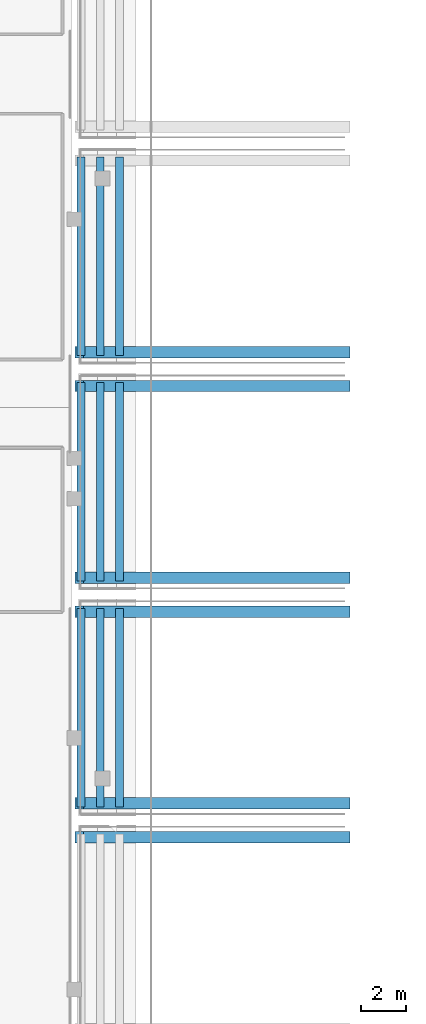
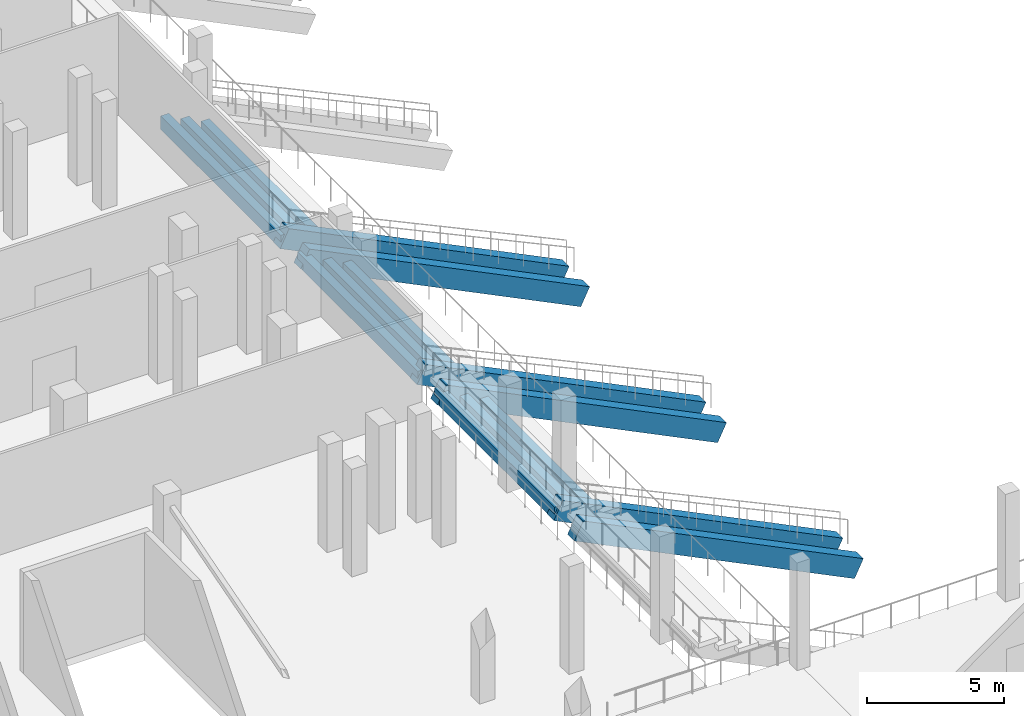
# One storey, part 25 of 129: 15 beams.
"""IFC4 building model written with IfcOpenShell, lengths in metres."""

from ifc_helpers import new_model, si_unit, direction, frame, origin, origin_2d, place, context, subcontext, project, spatial, rectangle, extrude, material, material_profile, profile_set, type_object, element, save


model = new_model("IFC4")

# Units and contexts
model_context = context("Model", 3, precision=1e-05, world=origin(), true_north=direction((0.0, 1.0)))
body_context = subcontext(model_context, "Body", "Model", "MODEL_VIEW")
ifc_project = project(units=[si_unit("LENGTHUNIT", "METRE"), si_unit("AREAUNIT", "SQUARE_METRE"), si_unit("VOLUMEUNIT", "CUBIC_METRE"), si_unit("PLANEANGLEUNIT", "RADIAN"), si_unit("MASSUNIT", "GRAM", prefix="KILO")], contexts=[model_context])

# Site, building, storey
site_placement = place(None, origin())
site = spatial("IfcSite", under=ifc_project, at=site_placement, CompositionType="ELEMENT")
building_placement = place(site_placement, origin())
building = spatial("IfcBuilding", under=site, at=building_placement, Name="Koshinbarg Plaza Stadium", CompositionType="ELEMENT")
storey_placement = place(building_placement, frame((0.0, 0.0, 5.39990234375)))
storey = spatial("IfcBuildingStorey", under=building, at=storey_placement, Name="L01", CompositionType="ELEMENT", Elevation=5.39990234375)

# Beams
ifc_material = material(Name="Concrete C40/50", Category="concrete")
ifc_material_profile_1 = material_profile(ifc_material, rectangle(XDim=0.5, YDim=0.85009765625, at=origin_2d()), Name="RC 500x850")
ifc_profile_set_1 = profile_set([ifc_material_profile_1], Name="Concrete C40/50")
beam_type_1 = type_object("IfcBeamType", Name="BM-RAKER-LT", PredefinedType="USERDEFINED", material=ifc_profile_set_1)
for number, where, z_axis, x_axis, name in (
    (1, (80.9599609375, 35.25, -5.073974609375), (-0.897237323905, 0.0, 0.441548620869), (0.0, -1.0, 0.0), "Lower bowl raker girder RAKER LT-W01-R"),
    (2, (80.9599609375, 36.75, -5.073974609375), (-0.897237323905, 0.0, 0.441548620869), (0.0, -1.0, 0.0), "Lower bowl raker girder RAKER LT-W02-L"),
    (3, (80.9599609375, 45.25, -5.073974609375), (-0.897237323905, 0.0, 0.441548620869), (0.0, -1.0, 0.0), "Lower bowl raker girder RAKER LT-W02-R"),
    (4, (80.9599609375, 46.75, -5.073974609375), (-0.897237323905, 0.0, 0.441548620869), (0.0, -1.0, 0.0), "Lower bowl raker girder RAKER LT-W03-L"),
    (5, (80.9599609375, 55.25, -5.073974609375), (-0.897237323905, 0.0, 0.441548620869), (0.0, -1.0, 0.0), "Lower bowl raker girder RAKER LT-W03-R"),
    (6, (80.9599609375, 56.75, -5.073974609375), (-0.897237323905, 0.0, 0.441548620869), (0.0, -1.0, 0.0), "Lower bowl raker girder RAKER LT-W04-L"),
):
    element("IfcBeam", number, at=place(storey_placement, frame(where, z_axis=z_axis, x_axis=x_axis)), inside=storey, type_object=beam_type_1, Name=name, ObjectType="GIRDER", PredefinedType="USERDEFINED", context=body_context, shape_type="SweptSolid", body=[
        extrude(rectangle(XDim=0.5, YDim=0.85009765625, at=origin_2d()), origin(), (0.0, 0.0, 1.0), 13.173828125),
    ])
ifc_material_profile_2 = material_profile(ifc_material, rectangle(XDim=0.35009765625, YDim=0.60009765625, at=origin_2d()), Name="RC 350x600")
ifc_profile_set_2 = profile_set([ifc_material_profile_2], Name="Concrete C40/50")
beam_type_2 = type_object("IfcBeamType", Name="BM-RCG-01", PredefinedType="SPANDREL", material=ifc_profile_set_2)
for number, where, z_axis, x_axis, name in (
    (7, (70.919921875, 36.60009765625, -0.27978515625), (0.0, 1.0, 0.0), (-1.0, 0.0, 0.0), "Lower tier seat bearer LT-W02-R12"),
    (8, (70.070068359375, 36.60009765625, 0.14013671875), (0.0, 1.0, 0.0), (-1.0, 0.0, 0.0), "Lower tier seat bearer LT-W02-R13"),
    (9, (69.219970703125, 36.60009765625, 0.56005859375), (0.0, 1.0, 0.0), (-1.0, 0.0, 0.0), "Lower tier seat bearer LT-W02-R14"),
    (10, (70.919921875, 46.60009765625, -0.27978515625), (0.0, 1.0, 0.0), (-1.0, 0.0, 0.0), "Lower tier seat bearer LT-W03-R12"),
    (11, (70.070068359375, 46.60009765625, 0.14013671875), (0.0, 1.0, 0.0), (-1.0, 0.0, 0.0), "Lower tier seat bearer LT-W03-R13"),
    (12, (69.219970703125, 46.60009765625, 0.56005859375), (0.0, 1.0, 0.0), (-1.0, 0.0, 0.0), "Lower tier seat bearer LT-W03-R14"),
    (13, (70.919921875, 56.60009765625, -0.27978515625), (0.0, 1.0, 0.0), (-1.0, 0.0, 0.0), "Lower tier seat bearer LT-W04-R12"),
    (14, (70.070068359375, 56.60009765625, 0.14013671875), (0.0, 1.0, 0.0), (-1.0, 0.0, 0.0), "Lower tier seat bearer LT-W04-R13"),
    (15, (69.219970703125, 56.60009765625, 0.56005859375), (0.0, 1.0, 0.0), (-1.0, 0.0, 0.0), "Lower tier seat bearer LT-W04-R14"),
):
    element("IfcBeam", number, at=place(storey_placement, frame(where, z_axis=z_axis, x_axis=x_axis)), inside=storey, type_object=beam_type_2, Name=name, PredefinedType="SPANDREL", context=body_context, shape_type="SweptSolid", body=[
        extrude(rectangle(XDim=0.35009765625, YDim=0.60009765625, at=origin_2d()), origin(), (0.0, 0.0, 1.0), 8.7998046875),
    ])

save(model, "model.ifc")
